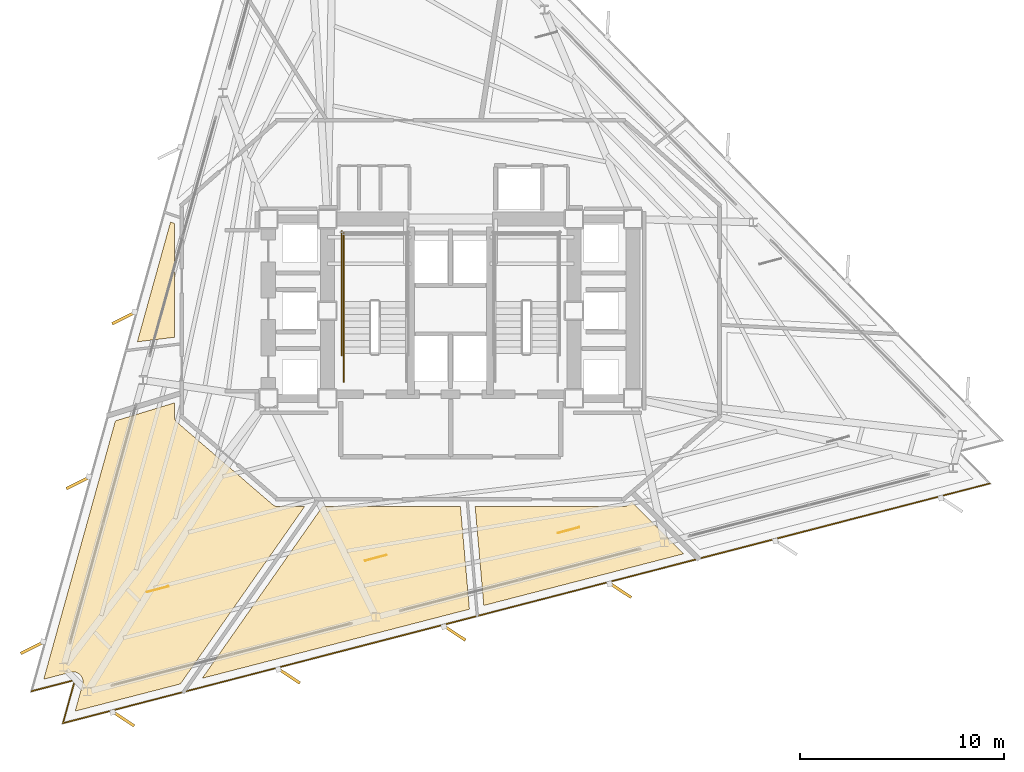
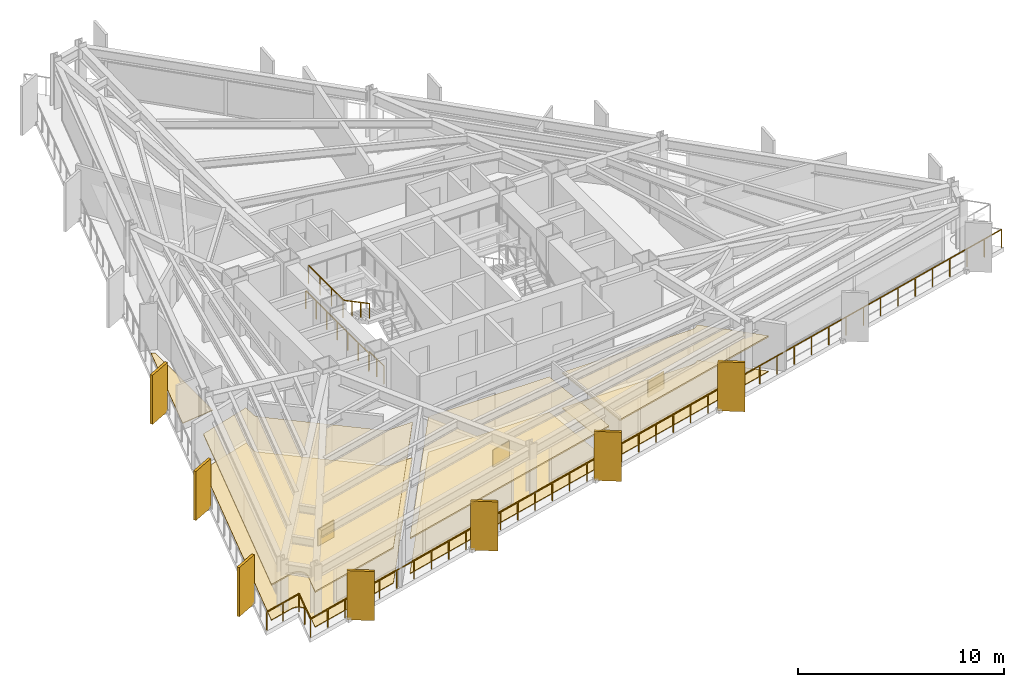
# One storey, part 9 of 11: 10 coverings, 7 shading devices, 5 railings.
"""IFC4 building model written with IfcOpenShell, lengths in metres."""

from ifc_helpers import new_model, si_unit, direction, frame, origin, origin_2d, place, context, subcontext, project, spatial, polyline, rectangle, outline, extrude, material, layer, layer_set, type_object, element, save


model = new_model("IFC4")

# Units and contexts
model_context = context("Model", 3, precision=1e-05, world=origin(), true_north=direction((0.0, 1.0)))
body_context = subcontext(model_context, "Body", "Model", "MODEL_VIEW")
ifc_project = project(units=[si_unit("LENGTHUNIT", "METRE"), si_unit("AREAUNIT", "SQUARE_METRE"), si_unit("VOLUMEUNIT", "CUBIC_METRE"), si_unit("PLANEANGLEUNIT", "RADIAN"), si_unit("MASSUNIT", "GRAM", prefix="KILO")], contexts=[model_context])

# Site, building, storey
site_placement = place(None, origin())
site = spatial("IfcSite", under=ifc_project, at=site_placement, CompositionType="ELEMENT")
building_placement = place(site_placement, origin())
building = spatial("IfcBuilding", under=site, at=building_placement, Name="Rocaltana Carrier Exchange", CompositionType="ELEMENT")
storey_placement = place(building_placement, frame((0.0, 0.0, 91.679931640625)))
storey = spatial("IfcBuildingStorey", under=building, at=storey_placement, Name="L28", CompositionType="ELEMENT", Elevation=91.679931640625)

# Coverings
ifc_material_1 = material(Name="Honed Bogota Sandstone Tile", Category="masonry")
ifc_layer_1 = layer(ifc_material_1, 0.0400390625)
ifc_layer_set_1 = layer_set([ifc_layer_1], Name="Honed Bogota Sandstone Tile")
covering_type_1 = type_object("IfcCoveringType", Name="Honed Stone Lobby Flooring 40", PredefinedType="FLOORING", material=ifc_layer_set_1)
covering_1_placement = place(storey_placement, origin())
element("IfcCovering", 1, at=covering_1_placement, inside=storey, type_object=covering_type_1, Name="L28 Carrier Peering Suite Finish Floor", PredefinedType="FLOORING", context=body_context, shape_type="SweptSolid", body=[
    extrude(outline(polyline([(-18.068359375, -18.33837890625), (-18.06494140625, -18.324951171875), (-18.060546875, -18.305419921875), (-18.055908203125, -18.278076171875), (-18.05322265625, -18.25830078125), (-18.051513671875, -18.230224609375), (-18.05078125, -18.21044921875), (-18.0517578125, -18.1826171875), (-18.05322265625, -18.16259765625), (-18.056884765625, -18.135009765625), (-18.060302734375, -18.115234375), (-18.066650390625, -18.088134765625), (-18.072265625, -18.069091796875), (-18.081298828125, -18.04248046875), (-18.08837890625, -18.02392578125), (-18.10009765625, -17.99853515625), (-18.109375, -17.98095703125), (-18.123291015625, -17.956787109375), (-18.13427734375, -17.940185546875), (-18.150634765625, -17.91748046875), (-18.1630859375, -17.90185546875), (-18.181640625, -17.881103515625), (-18.195556640625, -17.86669921875), (-18.216064453125, -17.847900390625), (-18.2314453125, -17.835205078125), (-18.25390625, -17.818359375), (-18.270263671875, -17.80712890625), (-18.294189453125, -17.792724609375), (-18.311767578125, -17.783203125), (-18.3369140625, -17.771240234375), (-18.355224609375, -17.763671875), (-18.381591796875, -17.754150390625), (-18.400634765625, -17.748291015625), (-18.427734375, -17.741455078125), (-18.447265625, -17.73779296875), (-18.474853515625, -17.733642578125), (-18.49462890625, -17.731689453125), (-18.522705078125, -17.73046875), (-18.54248046875, -17.73046875), (-18.5703125, -17.73193359375), (-18.59033203125, -17.73388671875), (-18.617919921875, -17.73828125), (-18.637451171875, -17.7421875), (-18.65087890625, -17.74560546875), (-19.97607421875, -18.088134765625), (-16.459716796875, -5.40869140625), (-13.56005859375, -4.522216796875), (-13.56005859375, -5.199951171875), (-13.559814453125, -5.21337890625), (-13.559326171875, -5.220947265625), (-13.556884765625, -5.24755859375), (-13.5556640625, -5.255126953125), (-13.550537109375, -5.281494140625), (-13.548828125, -5.288818359375), (-13.541259765625, -5.314453125), (-13.538818359375, -5.32177734375), (-13.52880859375, -5.346435546875), (-13.525634765625, -5.353515625), (-13.51318359375, -5.377197265625), (-13.509521484375, -5.3837890625), (-13.4951171875, -5.40625), (-13.490478515625, -5.41259765625), (-13.47412109375, -5.433349609375), (-13.468994140625, -5.439208984375), (-13.450439453125, -5.45849609375), (-13.44482421875, -5.4638671875), (-13.43505859375, -5.47265625), (-8.735107421875, -9.522705078125), (-8.72412109375, -9.53173828125), (-8.717529296875, -9.53662109375), (-8.6943359375, -9.552978515625), (-8.6875, -9.557373046875), (-8.66259765625, -9.571044921875), (-8.6552734375, -9.57470703125), (-8.629150390625, -9.5859375), (-8.62158203125, -9.5888671875), (-8.594482421875, -9.597412109375), (-8.58642578125, -9.599365234375), (-8.55859375, -9.60498046875), (-8.550537109375, -9.606201171875), (-8.522216796875, -9.609130859375), (-8.51416015625, -9.609619140625), (-8.5, -9.610107421875), (-7.16845703125, -9.610107421875), (-13.268310546875, -18.3212890625), (-18.43408203125, -19.6572265625), (-18.068359375, -18.33837890625)])), origin(), (0.0, 0.0, 1.0), 0.0400390625),
])
covering_2_placement = place(storey_placement, origin())
element("IfcCovering", 2, at=covering_2_placement, inside=storey, type_object=covering_type_1, Name="L28 Cloud Architecture Office Finish Floor", PredefinedType="FLOORING", context=body_context, shape_type="SweptSolid", body=[
    extrude(outline(polyline([(-12.19482421875, -18.043701171875), (-6.28955078125, -9.610107421875), (0.4794921875, -9.610107421875), (0.92041015625, -14.65185546875), (-12.19482421875, -18.043701171875)])), origin(), (0.0, 0.0, 1.0), 0.0400390625),
])
covering_3_placement = place(storey_placement, origin())
element("IfcCovering", 3, at=covering_3_placement, inside=storey, type_object=covering_type_1, Name="L28 Optical Switching Laboratory Finish Floor", PredefinedType="FLOORING", context=body_context, shape_type="SweptSolid", body=[
    extrude(outline(polyline([(1.627197265625, -14.468994140625), (1.2021484375, -9.610107421875), (8.5, -9.610107421875), (8.51416015625, -9.609619140625), (8.522216796875, -9.609130859375), (8.550537109375, -9.606201171875), (8.55859375, -9.60498046875), (8.58642578125, -9.599365234375), (8.594482421875, -9.597412109375), (8.62158203125, -9.5888671875), (8.629150390625, -9.5859375), (8.6552734375, -9.57470703125), (8.66259765625, -9.571044921875), (8.6875, -9.557373046875), (8.6943359375, -9.552978515625), (8.717529296875, -9.53662109375), (8.72412109375, -9.53173828125), (8.735107421875, -9.522705078125), (8.884521484375, -9.393798828125), (11.42578125, -11.93505859375), (1.627197265625, -14.468994140625)])), origin(), (0.0, 0.0, 1.0), 0.0400390625),
])
covering_4_placement = place(storey_placement, origin())
element("IfcCovering", 4, at=covering_4_placement, inside=storey, type_object=covering_type_1, Name="L28 Carrier Peering Suite Finish Floor", PredefinedType="FLOORING", context=body_context, shape_type="SweptSolid", body=[
    extrude(outline(polyline([(-13.752197265625, 4.3544921875), (-13.56005859375, 4.288330078125), (-13.56005859375, -1.30224609375), (-15.3828125, -1.526123046875), (-13.752197265625, 4.3544921875)])), origin(), (0.0, 0.0, 1.0), 0.0400390625),
])
ifc_material_2 = material(Name="Anodised Aluminium 6063-T6", Category="aluminium")
ifc_layer_2 = layer(ifc_material_2, 0.0849609375)
ifc_layer_set_2 = layer_set([ifc_layer_2], Name="Anodised Aluminium 6063-T6")
covering_type_2 = type_object("IfcCoveringType", Name="Linear Baffle Acoustic Ceiling 85", PredefinedType="CEILING", material=ifc_layer_set_2)
covering_5_placement = place(storey_placement, frame((0.0, 0.0, 2.052978515625)))
element("IfcCovering", 5, at=covering_5_placement, inside=storey, type_object=covering_type_2, Name="L28 Carrier Peering Suite Acoustic Ceiling", PredefinedType="CEILING", context=body_context, shape_type="SweptSolid", body=[
    extrude(outline(polyline([(-18.068359375, -18.33837890625), (-18.06494140625, -18.324951171875), (-18.060546875, -18.305419921875), (-18.055908203125, -18.278076171875), (-18.05322265625, -18.25830078125), (-18.051513671875, -18.230224609375), (-18.05078125, -18.21044921875), (-18.0517578125, -18.1826171875), (-18.05322265625, -18.16259765625), (-18.056884765625, -18.135009765625), (-18.060302734375, -18.115234375), (-18.066650390625, -18.088134765625), (-18.072265625, -18.069091796875), (-18.081298828125, -18.04248046875), (-18.08837890625, -18.02392578125), (-18.10009765625, -17.99853515625), (-18.109375, -17.98095703125), (-18.123291015625, -17.956787109375), (-18.13427734375, -17.940185546875), (-18.150634765625, -17.91748046875), (-18.1630859375, -17.90185546875), (-18.181640625, -17.881103515625), (-18.195556640625, -17.86669921875), (-18.216064453125, -17.847900390625), (-18.2314453125, -17.835205078125), (-18.25390625, -17.818359375), (-18.270263671875, -17.80712890625), (-18.294189453125, -17.792724609375), (-18.311767578125, -17.783203125), (-18.3369140625, -17.771240234375), (-18.355224609375, -17.763671875), (-18.381591796875, -17.754150390625), (-18.400634765625, -17.748291015625), (-18.427734375, -17.741455078125), (-18.447265625, -17.73779296875), (-18.474853515625, -17.733642578125), (-18.49462890625, -17.731689453125), (-18.522705078125, -17.73046875), (-18.54248046875, -17.73046875), (-18.5703125, -17.73193359375), (-18.59033203125, -17.73388671875), (-18.617919921875, -17.73828125), (-18.637451171875, -17.7421875), (-18.65087890625, -17.74560546875), (-19.97607421875, -18.088134765625), (-16.459716796875, -5.40869140625), (-13.56005859375, -4.522216796875), (-13.56005859375, -5.199951171875), (-13.559814453125, -5.21337890625), (-13.559326171875, -5.220947265625), (-13.556884765625, -5.24755859375), (-13.5556640625, -5.255126953125), (-13.550537109375, -5.281494140625), (-13.548828125, -5.288818359375), (-13.541259765625, -5.314453125), (-13.538818359375, -5.32177734375), (-13.52880859375, -5.346435546875), (-13.525634765625, -5.353515625), (-13.51318359375, -5.377197265625), (-13.509521484375, -5.3837890625), (-13.4951171875, -5.40625), (-13.490478515625, -5.41259765625), (-13.47412109375, -5.433349609375), (-13.468994140625, -5.439208984375), (-13.450439453125, -5.45849609375), (-13.44482421875, -5.4638671875), (-13.43505859375, -5.47265625), (-8.735107421875, -9.522705078125), (-8.72412109375, -9.53173828125), (-8.717529296875, -9.53662109375), (-8.6943359375, -9.552978515625), (-8.6875, -9.557373046875), (-8.66259765625, -9.571044921875), (-8.6552734375, -9.57470703125), (-8.629150390625, -9.5859375), (-8.62158203125, -9.5888671875), (-8.594482421875, -9.597412109375), (-8.58642578125, -9.599365234375), (-8.55859375, -9.60498046875), (-8.550537109375, -9.606201171875), (-8.522216796875, -9.609130859375), (-8.51416015625, -9.609619140625), (-8.5, -9.610107421875), (-7.16845703125, -9.610107421875), (-13.268310546875, -18.3212890625), (-18.43408203125, -19.6572265625), (-18.068359375, -18.33837890625)])), origin(), (0.0, 0.0, 1.0), 0.085205078125),
])
covering_6_placement = place(storey_placement, frame((0.0, 0.0, 2.052978515625)))
element("IfcCovering", 6, at=covering_6_placement, inside=storey, type_object=covering_type_2, Name="L28 Cloud Architecture Office Acoustic Ceiling", PredefinedType="CEILING", context=body_context, shape_type="SweptSolid", body=[
    extrude(outline(polyline([(-12.19482421875, -18.043701171875), (-6.28955078125, -9.610107421875), (0.4794921875, -9.610107421875), (0.92041015625, -14.65185546875), (-12.19482421875, -18.043701171875)])), origin(), (0.0, 0.0, 1.0), 0.085205078125),
])
covering_7_placement = place(storey_placement, frame((0.0, 0.0, 2.052978515625)))
element("IfcCovering", 7, at=covering_7_placement, inside=storey, type_object=covering_type_2, Name="L28 Optical Switching Laboratory Acoustic Ceiling", PredefinedType="CEILING", context=body_context, shape_type="SweptSolid", body=[
    extrude(outline(polyline([(1.627197265625, -14.468994140625), (1.2021484375, -9.610107421875), (8.5, -9.610107421875), (8.51416015625, -9.609619140625), (8.522216796875, -9.609130859375), (8.550537109375, -9.606201171875), (8.55859375, -9.60498046875), (8.58642578125, -9.599365234375), (8.594482421875, -9.597412109375), (8.62158203125, -9.5888671875), (8.629150390625, -9.5859375), (8.6552734375, -9.57470703125), (8.66259765625, -9.571044921875), (8.6875, -9.557373046875), (8.6943359375, -9.552978515625), (8.717529296875, -9.53662109375), (8.72412109375, -9.53173828125), (8.735107421875, -9.522705078125), (8.884521484375, -9.393798828125), (11.42578125, -11.93505859375), (1.627197265625, -14.468994140625)])), origin(), (0.0, 0.0, 1.0), 0.085205078125),
])

# Railings
ifc_material_3 = material(Name="Brushed Architectural Stainless Tube", Category="steel")
ifc_layer_3 = layer(ifc_material_3, 0.048095703125)
ifc_layer_set_3 = layer_set([ifc_layer_3], Name="Brushed Architectural Stainless Tube")
railing_type_1 = type_object("IfcRailingType", Name="Stair Wall Handrail 920", PredefinedType="HANDRAIL", material=ifc_layer_set_3)
railing_1_placement = place(storey_placement, frame((-5.25, 0.4599609375, 1.68896484375)))
element("IfcRailing", 8, at=railing_1_placement, inside=storey, type_object=railing_type_1, Name="L28 ST-1 stair handrail 2", PredefinedType="HANDRAIL", context=body_context, shape_type="SweptSolid", body=[
    extrude(rectangle(XDim=0.048095703125, YDim=0.048095703125, at=origin_2d()), frame((0.0, 0.0, 0.8759765625), z_axis=(0.0, -0.884394423565, 0.466740295633), x_axis=(1.0, 0.0, 0.0)), (0.0, 0.0, 1.0), 2.894775390625),
    extrude(rectangle(XDim=0.0419921875, YDim=0.0419921875, at=origin_2d()), origin(), (0.0, 0.0, 1.0), 0.851806640625),
    extrude(rectangle(XDim=0.0419921875, YDim=0.0419921875, at=origin_2d()), frame((0.0, -0.853271484375, 0.450439453125)), (0.0, 0.0, 1.0), 0.851806640625),
    extrude(rectangle(XDim=0.0419921875, YDim=0.0419921875, at=origin_2d()), frame((0.0, -1.706787109375, 0.900634765625)), (0.0, 0.0, 1.0), 0.851806640625),
    extrude(rectangle(XDim=0.0419921875, YDim=0.0419921875, at=origin_2d()), frame((0.0, -2.56005859375, 1.35107421875)), (0.0, 0.0, 1.0), 0.851806640625),
])
ifc_material_4 = material(Name="Powder-Coated Aluminium 6063-T6", Category="aluminium")
ifc_layer_4 = layer(ifc_material_4, 0.048095703125)
ifc_layer_set_4 = layer_set([ifc_layer_4], Name="Powder-Coated Aluminium 6063-T6")
railing_type_2 = type_object("IfcRailingType", Name="Stair Well Guardrail 1100", PredefinedType="GUARDRAIL", material=ifc_layer_set_4)
railing_2_placement = place(storey_placement, frame((-5.25, 0.4599609375, 1.52001953125)))
element("IfcRailing", 9, at=railing_2_placement, inside=storey, type_object=railing_type_2, Name="L28 ST-1 stair guard 4", PredefinedType="GUARDRAIL", context=body_context, shape_type="SweptSolid", body=[
    extrude(rectangle(XDim=0.048095703125, YDim=0.048095703125, at=origin_2d()), frame((0.0, 0.0, 1.076171875), z_axis=(0.0, 1.0, 0.0), x_axis=(-1.0, 0.0, 0.0)), (0.0, 0.0, 1.0), 3.340087890625),
    extrude(rectangle(XDim=0.0419921875, YDim=0.0419921875, at=origin_2d()), origin(), (0.0, 0.0, 1.0), 1.052001953125),
    extrude(rectangle(XDim=0.0419921875, YDim=0.0419921875, at=origin_2d()), frame((0.0, 1.11328125, 0.0)), (0.0, 0.0, 1.0), 1.052001953125),
    extrude(rectangle(XDim=0.0419921875, YDim=0.0419921875, at=origin_2d()), frame((0.0, 2.226806640625, 0.0)), (0.0, 0.0, 1.0), 1.052001953125),
    extrude(rectangle(XDim=0.0419921875, YDim=0.0419921875, at=origin_2d()), frame((0.0, 3.340087890625, 0.0)), (0.0, 0.0, 1.0), 1.052001953125),
])
railing_3_placement = place(storey_placement, frame((-5.25, -3.5, 0.0)))
element("IfcRailing", 10, at=railing_3_placement, inside=storey, type_object=railing_type_2, Name="L28 ST-1 stair guard 9", PredefinedType="GUARDRAIL", context=body_context, shape_type="SweptSolid", body=[
    extrude(rectangle(XDim=0.048095703125, YDim=0.048095703125, at=origin_2d()), frame((0.0, 0.0, 1.076171875), z_axis=(0.0, 1.0, 0.0), x_axis=(-1.0, 0.0, 0.0)), (0.0, 0.0, 1.0), 1.39990234375),
    extrude(rectangle(XDim=0.0419921875, YDim=0.0419921875, at=origin_2d()), origin(), (0.0, 0.0, 1.0), 1.052001953125),
    extrude(rectangle(XDim=0.0419921875, YDim=0.0419921875, at=origin_2d()), frame((0.0, 0.699951171875, 0.0)), (0.0, 0.0, 1.0), 1.052001953125),
    extrude(rectangle(XDim=0.0419921875, YDim=0.0419921875, at=origin_2d()), frame((0.0, 1.39990234375, 0.0)), (0.0, 0.0, 1.0), 1.052001953125),
])
railing_4_placement = place(storey_placement, frame((-5.35009765625, -2.199951171875, 0.0)))
element("IfcRailing", 11, at=railing_4_placement, inside=storey, type_object=railing_type_2, Name="L28 ST-1 stair guard 11", PredefinedType="GUARDRAIL", context=body_context, shape_type="SweptSolid", body=[
    extrude(rectangle(XDim=0.048095703125, YDim=0.048095703125, at=origin_2d()), frame((0.0, 0.0, 1.076171875), z_axis=(0.0, 1.0, 0.0), x_axis=(-1.0, 0.0, 0.0)), (0.0, 0.0, 1.0), 6.099853515625),
    extrude(rectangle(XDim=0.0419921875, YDim=0.0419921875, at=origin_2d()), origin(), (0.0, 0.0, 1.0), 1.052001953125),
    extrude(rectangle(XDim=0.0419921875, YDim=0.0419921875, at=origin_2d()), frame((0.0, 1.0166015625, 0.0)), (0.0, 0.0, 1.0), 1.052001953125),
    extrude(rectangle(XDim=0.0419921875, YDim=0.0419921875, at=origin_2d()), frame((0.0, 2.033203125, 0.0)), (0.0, 0.0, 1.0), 1.052001953125),
    extrude(rectangle(XDim=0.0419921875, YDim=0.0419921875, at=origin_2d()), frame((0.0, 3.0498046875, 0.0)), (0.0, 0.0, 1.0), 1.052001953125),
    extrude(rectangle(XDim=0.0419921875, YDim=0.0419921875, at=origin_2d()), frame((0.0, 4.066650390625, 0.0)), (0.0, 0.0, 1.0), 1.052001953125),
    extrude(rectangle(XDim=0.0419921875, YDim=0.0419921875, at=origin_2d()), frame((0.0, 5.083251953125, 0.0)), (0.0, 0.0, 1.0), 1.052001953125),
    extrude(rectangle(XDim=0.0419921875, YDim=0.0419921875, at=origin_2d()), frame((0.0, 6.099853515625, 0.0)), (0.0, 0.0, 1.0), 1.052001953125),
])

# Coverings
ifc_material_5 = material(Name="Honed Piedra Muneca Sandstone", Category="masonry")
ifc_layer_5 = layer(ifc_material_5, 0.034912109375)
ifc_layer_set_5 = layer_set([ifc_layer_5], Name="Honed Piedra Muneca Sandstone")
covering_type_3 = type_object("IfcCoveringType", Name="Stone Facade Cladding 35", PredefinedType="CLADDING", material=ifc_layer_set_5)
for number, where, z_axis, x_axis, name in (
    (12, (-14.381103515625, -13.670166015625, 0.0), (0.0, 0.0, 1.0), (0.965925826289, 0.258819045103, 0.0), "L28 Stone Facade Cladding Panel 2"),
    (13, (-3.677490234375, -12.130859375, 0.0), (0.0, 0.0, 1.0), (0.965925826289, 0.258819045103, 0.0), "L28 Stone Facade Cladding Panel 3"),
    (14, (5.78369140625, -10.7724609375, 0.0), (0.0, 0.0, 1.0), (0.965925826289, 0.258819045103, 0.0), "L28 Stone Facade Cladding Panel 4"),
):
    element("IfcCovering", number, at=place(storey_placement, frame(where, z_axis=z_axis, x_axis=x_axis)), inside=storey, type_object=covering_type_3, Name=name, PredefinedType="CLADDING", context=body_context, shape_type="SweptSolid", body=[
        extrude(rectangle(XDim=1.10009765625, YDim=0.034912109375, at=origin_2d()), origin(), (0.0, 0.0, 1.0), 1.050048828125),
    ])

# Shading devices
ifc_material_6 = material(Name="Honed Bogota Sandstone & Concrete C45/55", Category="masonry")
ifc_layer_6 = layer(ifc_material_6, 0.139892578125)
ifc_layer_set_6 = layer_set([ifc_layer_6], Name="Honed Bogota Sandstone & Concrete C45/55")
shading_device_type = type_object("IfcShadingDeviceType", Name="Vertical Sandstone Shading Fin 1320x140", PredefinedType="USERDEFINED", material=ifc_layer_set_6)
for number, where, z_axis, x_axis, name in (
    (15, (-16.031005859375, -0.34326171875, -0.1201171875), (0.0, 0.0, 1.0), (-0.894934361602, -0.44619781311, 0.0), "L28 Sandstone Vertical Fin F2-04"),
    (16, (-18.27587890625, -8.437744140625, -0.1201171875), (0.0, 0.0, 1.0), (-0.894934361602, -0.44619781311, 0.0), "L28 Sandstone Vertical Fin F2-05"),
    (17, (-20.520751953125, -16.5322265625, -0.1201171875), (0.0, 0.0, 1.0), (-0.894934361602, -0.44619781311, 0.0), "L28 Sandstone Vertical Fin F2-06"),
    (18, (-16.08447265625, -20.021484375, -0.1201171875), (0.0, 0.0, 1.0), (0.833885822067, -0.551936985312, 0.0), "L28 Sandstone Vertical Fin F3-01"),
    (19, (-7.9521484375, -17.918212890625, -0.1201171875), (0.0, 0.0, 1.0), (0.833885822067, -0.551936985312, 0.0), "L28 Sandstone Vertical Fin F3-02"),
    (20, (0.180419921875, -15.81494140625, -0.1201171875), (0.0, 0.0, 1.0), (0.833885822067, -0.551936985312, 0.0), "L28 Sandstone Vertical Fin F3-03"),
    (21, (8.312744140625, -13.7119140625, -0.1201171875), (0.0, 0.0, 1.0), (0.833885822067, -0.551936985312, 0.0), "L28 Sandstone Vertical Fin F3-04"),
):
    element("IfcShadingDevice", number, at=place(storey_placement, frame(where, z_axis=z_axis, x_axis=x_axis)), inside=storey, type_object=shading_device_type, Name=name, ObjectType="FIN", PredefinedType="USERDEFINED", context=body_context, shape_type="SweptSolid", body=[
        extrude(rectangle(XDim=1.320068359375, YDim=0.139892578125, at=origin_2d()), origin(), (0.0, 0.0, 1.0), 2.907958984375),
    ])

# Railing
ifc_material_7 = material(Name="Powder-Coated Aluminium 6063-T6", Category="aluminium")
ifc_layer_7 = layer(ifc_material_7, 0.06005859375)
ifc_layer_set_7 = layer_set([ifc_layer_7], Name="Powder-Coated Aluminium 6063-T6")
railing_type_3 = type_object("IfcRailingType", Name="Wind-Floor & Terrace Perimeter Guardrail 1100", PredefinedType="GUARDRAIL", material=ifc_layer_set_7)
railing_5_placement = place(storey_placement, frame((26.46240234375, -8.47998046875, 0.0)))
element("IfcRailing", 22, at=railing_5_placement, inside=storey, type_object=railing_type_3, Name="L28 Perimeter Balcony Guardrail 1", PredefinedType="GUARDRAIL", context=body_context, shape_type="SweptSolid", body=[
    extrude(rectangle(XDim=0.048095703125, YDim=0.048095703125, at=origin_2d()), frame((0.0, 0.0, 1.076171875), z_axis=(-0.968146868185, -0.250382989886, 0.0), x_axis=(0.250382989886, -0.968146868185, 0.0)), (0.0, 0.0, 1.0), 46.992431640625),
    extrude(rectangle(XDim=0.048095703125, YDim=0.048095703125, at=origin_2d()), frame((-45.49560546875, -11.76611328125, 1.076171875), z_axis=(0.267237446942, 0.96363071088, 0.0), x_axis=(-0.96363071088, 0.267237446942, 0.0)), (0.0, 0.0, 1.0), 2.199951171875),
    extrude(rectangle(XDim=0.048095703125, YDim=0.048095703125, at=origin_2d()), frame((-44.90771484375, -9.646240234375, 1.076171875), z_axis=(-0.968152477167, -0.250361300835, 0.0), x_axis=(0.250361300835, -0.968152477167, 0.0)), (0.0, 0.0, 1.0), 2.199951171875),
    extrude(rectangle(XDim=0.0419921875, YDim=0.0419921875, at=origin_2d()), origin(), (0.0, 0.0, 1.0), 1.052001953125),
    extrude(rectangle(XDim=0.0419921875, YDim=0.0419921875, at=origin_2d()), frame((-1.137451171875, -0.294189453125, 0.0)), (0.0, 0.0, 1.0), 1.052001953125),
    extrude(rectangle(XDim=0.0419921875, YDim=0.0419921875, at=origin_2d()), frame((-2.27490234375, -0.58837890625, 0.0)), (0.0, 0.0, 1.0), 1.052001953125),
    extrude(rectangle(XDim=0.0419921875, YDim=0.0419921875, at=origin_2d()), frame((-3.412109375, -0.882568359375, 0.0)), (0.0, 0.0, 1.0), 1.052001953125),
    extrude(rectangle(XDim=0.0419921875, YDim=0.0419921875, at=origin_2d()), frame((-4.549560546875, -1.176513671875, 0.0)), (0.0, 0.0, 1.0), 1.052001953125),
    extrude(rectangle(XDim=0.0419921875, YDim=0.0419921875, at=origin_2d()), frame((-5.68701171875, -1.470703125, 0.0)), (0.0, 0.0, 1.0), 1.052001953125),
    extrude(rectangle(XDim=0.0419921875, YDim=0.0419921875, at=origin_2d()), frame((-6.82421875, -1.764892578125, 0.0)), (0.0, 0.0, 1.0), 1.052001953125),
    extrude(rectangle(XDim=0.0419921875, YDim=0.0419921875, at=origin_2d()), frame((-7.961669921875, -2.05908203125, 0.0)), (0.0, 0.0, 1.0), 1.052001953125),
    extrude(rectangle(XDim=0.0419921875, YDim=0.0419921875, at=origin_2d()), frame((-9.09912109375, -2.353271484375, 0.0)), (0.0, 0.0, 1.0), 1.052001953125),
    extrude(rectangle(XDim=0.0419921875, YDim=0.0419921875, at=origin_2d()), frame((-10.236572265625, -2.6474609375, 0.0)), (0.0, 0.0, 1.0), 1.052001953125),
    extrude(rectangle(XDim=0.0419921875, YDim=0.0419921875, at=origin_2d()), frame((-11.3740234375, -2.94140625, 0.0)), (0.0, 0.0, 1.0), 1.052001953125),
    extrude(rectangle(XDim=0.0419921875, YDim=0.0419921875, at=origin_2d()), frame((-12.51123046875, -3.235595703125, 0.0)), (0.0, 0.0, 1.0), 1.052001953125),
    extrude(rectangle(XDim=0.0419921875, YDim=0.0419921875, at=origin_2d()), frame((-13.648681640625, -3.52978515625, 0.0)), (0.0, 0.0, 1.0), 1.052001953125),
    extrude(rectangle(XDim=0.0419921875, YDim=0.0419921875, at=origin_2d()), frame((-14.7861328125, -3.823974609375, 0.0)), (0.0, 0.0, 1.0), 1.052001953125),
    extrude(rectangle(XDim=0.0419921875, YDim=0.0419921875, at=origin_2d()), frame((-15.92333984375, -4.1181640625, 0.0)), (0.0, 0.0, 1.0), 1.052001953125),
    extrude(rectangle(XDim=0.0419921875, YDim=0.0419921875, at=origin_2d()), frame((-17.060791015625, -4.412353515625, 0.0)), (0.0, 0.0, 1.0), 1.052001953125),
    extrude(rectangle(XDim=0.0419921875, YDim=0.0419921875, at=origin_2d()), frame((-18.1982421875, -4.70654296875, 0.0)), (0.0, 0.0, 1.0), 1.052001953125),
    extrude(rectangle(XDim=0.0419921875, YDim=0.0419921875, at=origin_2d()), frame((-19.335693359375, -5.00048828125, 0.0)), (0.0, 0.0, 1.0), 1.052001953125),
    extrude(rectangle(XDim=0.0419921875, YDim=0.0419921875, at=origin_2d()), frame((-20.47314453125, -5.294677734375, 0.0)), (0.0, 0.0, 1.0), 1.052001953125),
    extrude(rectangle(XDim=0.0419921875, YDim=0.0419921875, at=origin_2d()), frame((-21.6103515625, -5.5888671875, 0.0)), (0.0, 0.0, 1.0), 1.052001953125),
    extrude(rectangle(XDim=0.0419921875, YDim=0.0419921875, at=origin_2d()), frame((-22.747802734375, -5.883056640625, 0.0)), (0.0, 0.0, 1.0), 1.052001953125),
    extrude(rectangle(XDim=0.0419921875, YDim=0.0419921875, at=origin_2d()), frame((-23.88525390625, -6.17724609375, 0.0)), (0.0, 0.0, 1.0), 1.052001953125),
    extrude(rectangle(XDim=0.0419921875, YDim=0.0419921875, at=origin_2d()), frame((-25.022705078125, -6.471435546875, 0.0)), (0.0, 0.0, 1.0), 1.052001953125),
    extrude(rectangle(XDim=0.0419921875, YDim=0.0419921875, at=origin_2d()), frame((-26.159912109375, -6.765625, 0.0)), (0.0, 0.0, 1.0), 1.052001953125),
    extrude(rectangle(XDim=0.0419921875, YDim=0.0419921875, at=origin_2d()), frame((-27.29736328125, -7.0595703125, 0.0)), (0.0, 0.0, 1.0), 1.052001953125),
    extrude(rectangle(XDim=0.0419921875, YDim=0.0419921875, at=origin_2d()), frame((-28.434814453125, -7.353759765625, 0.0)), (0.0, 0.0, 1.0), 1.052001953125),
    extrude(rectangle(XDim=0.0419921875, YDim=0.0419921875, at=origin_2d()), frame((-29.572265625, -7.64794921875, 0.0)), (0.0, 0.0, 1.0), 1.052001953125),
    extrude(rectangle(XDim=0.0419921875, YDim=0.0419921875, at=origin_2d()), frame((-30.70947265625, -7.942138671875, 0.0)), (0.0, 0.0, 1.0), 1.052001953125),
    extrude(rectangle(XDim=0.0419921875, YDim=0.0419921875, at=origin_2d()), frame((-31.846923828125, -8.236328125, 0.0)), (0.0, 0.0, 1.0), 1.052001953125),
    extrude(rectangle(XDim=0.0419921875, YDim=0.0419921875, at=origin_2d()), frame((-32.984375, -8.530517578125, 0.0)), (0.0, 0.0, 1.0), 1.052001953125),
    extrude(rectangle(XDim=0.0419921875, YDim=0.0419921875, at=origin_2d()), frame((-34.12158203125, -8.82470703125, 0.0)), (0.0, 0.0, 1.0), 1.052001953125),
    extrude(rectangle(XDim=0.0419921875, YDim=0.0419921875, at=origin_2d()), frame((-35.259033203125, -9.11865234375, 0.0)), (0.0, 0.0, 1.0), 1.052001953125),
    extrude(rectangle(XDim=0.0419921875, YDim=0.0419921875, at=origin_2d()), frame((-36.396484375, -9.412841796875, 0.0)), (0.0, 0.0, 1.0), 1.052001953125),
    extrude(rectangle(XDim=0.0419921875, YDim=0.0419921875, at=origin_2d()), frame((-37.533935546875, -9.70703125, 0.0)), (0.0, 0.0, 1.0), 1.052001953125),
    extrude(rectangle(XDim=0.0419921875, YDim=0.0419921875, at=origin_2d()), frame((-38.67138671875, -10.001220703125, 0.0)), (0.0, 0.0, 1.0), 1.052001953125),
    extrude(rectangle(XDim=0.0419921875, YDim=0.0419921875, at=origin_2d()), frame((-39.80859375, -10.29541015625, 0.0)), (0.0, 0.0, 1.0), 1.052001953125),
    extrude(rectangle(XDim=0.0419921875, YDim=0.0419921875, at=origin_2d()), frame((-40.946044921875, -10.589599609375, 0.0)), (0.0, 0.0, 1.0), 1.052001953125),
    extrude(rectangle(XDim=0.0419921875, YDim=0.0419921875, at=origin_2d()), frame((-42.08349609375, -10.883544921875, 0.0)), (0.0, 0.0, 1.0), 1.052001953125),
    extrude(rectangle(XDim=0.0419921875, YDim=0.0419921875, at=origin_2d()), frame((-43.220703125, -11.177734375, 0.0)), (0.0, 0.0, 1.0), 1.052001953125),
    extrude(rectangle(XDim=0.0419921875, YDim=0.0419921875, at=origin_2d()), frame((-44.358154296875, -11.471923828125, 0.0)), (0.0, 0.0, 1.0), 1.052001953125),
    extrude(rectangle(XDim=0.0419921875, YDim=0.0419921875, at=origin_2d()), frame((-45.49560546875, -11.76611328125, 0.0)), (0.0, 0.0, 1.0), 1.052001953125),
    extrude(rectangle(XDim=0.0419921875, YDim=0.0419921875, at=origin_2d()), frame((-45.20166015625, -10.7060546875, 0.0)), (0.0, 0.0, 1.0), 1.052001953125),
    extrude(rectangle(XDim=0.0419921875, YDim=0.0419921875, at=origin_2d()), frame((-44.90771484375, -9.646240234375, 0.0)), (0.0, 0.0, 1.0), 1.052001953125),
    extrude(rectangle(XDim=0.0419921875, YDim=0.0419921875, at=origin_2d()), frame((-45.97265625, -9.921630859375, 0.0)), (0.0, 0.0, 1.0), 1.052001953125),
    extrude(rectangle(XDim=0.0419921875, YDim=0.0419921875, at=origin_2d()), frame((-47.03759765625, -10.197021484375, 0.0)), (0.0, 0.0, 1.0), 1.052001953125),
])

save(model, "model.ifc")
